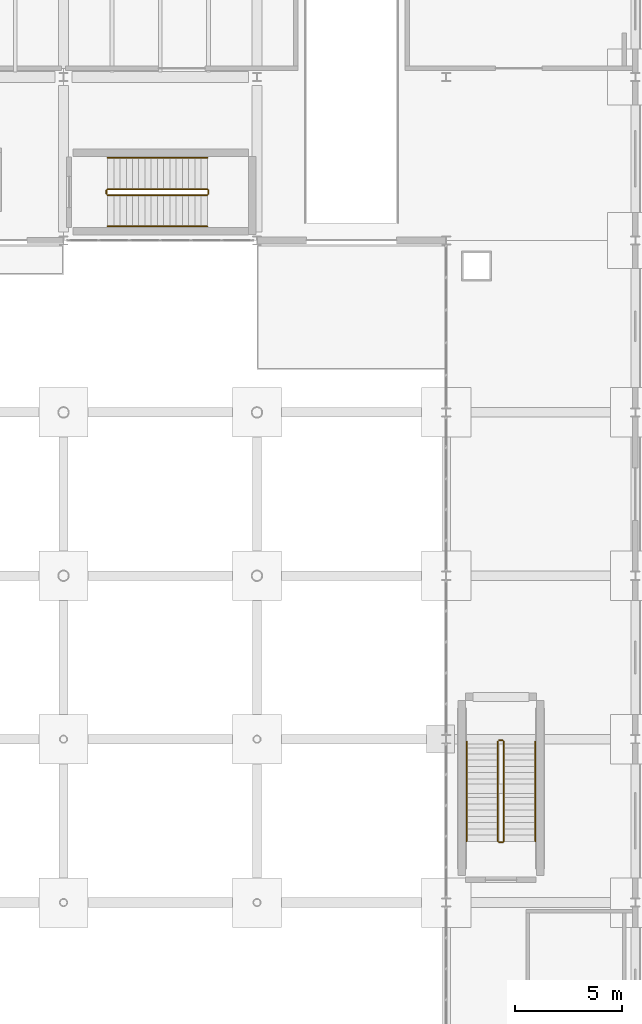
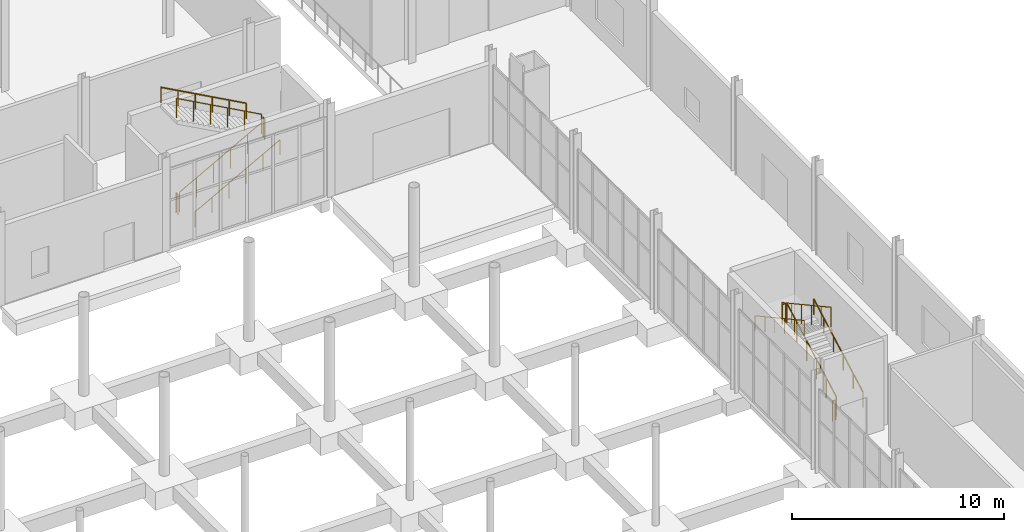
# One storey, part 93 of 95: 12 railings.
"""IFC4 building model written with IfcOpenShell, lengths in metres."""

import ifcopenshell
import ifcopenshell.guid

model = None  # the IFC model being written
_history = None  # IfcOwnerHistory: only IFC2X3 demands one
_inside = {}  # id of a spatial element -> (the spatial element, [elements in it])
_under = {}  # id of a project, library or spatial element -> (it, [spatial elements below it])
_declared = {}  # id of a project -> (the project, [libraries it declares])
_typed = {}  # id of a type object -> (the type object, [elements of that type])
_made_of = {}  # id of a material, layer set ... -> (it, [elements and type objects made of it])


def new_model(schema):
    """Start an empty IFC model of exactly this schema.

    Asked for "IFC4X3", IfcOpenShell would pick the latest addendum, in which some entities
    have other attributes; the version numbers below select the first issue.
    IFC2X3 requires an IfcOwnerHistory on every rooted entity: one is made here for all.
    """
    global model, _history
    if schema == "IFC4X3":
        model = ifcopenshell.file(schema_version=(4, 3, 0, 0))
    else:
        model = ifcopenshell.file(schema=schema)
    _inside.clear()
    _under.clear()
    _declared.clear()
    _typed.clear()
    _made_of.clear()
    _history = None
    if model.schema == "IFC2X3":
        org = make("IfcOrganization", Name="unknown")
        user = make(
            "IfcPersonAndOrganization",
            ThePerson=make("IfcPerson", FamilyName="unknown"),
            TheOrganization=org,
        )
        app = make(
            "IfcApplication",
            ApplicationDeveloper=org,
            Version="unknown",
            ApplicationFullName="unknown",
            ApplicationIdentifier="unknown",
        )
        _history = make(
            "IfcOwnerHistory",
            OwningUser=user,
            OwningApplication=app,
            ChangeAction="ADDED",
            CreationDate=0,
        )
    return model


def make(cls, **values):
    """One entity of the class cls with the attributes given. An attribute that is None is left unset."""
    return model.create_entity(
        cls, **{name: value for name, value in values.items() if value is not None}
    )


def rooted(cls, **values):
    """An entity with a GlobalId (a new one), such as an element, a storey or a relation."""
    return make(cls, GlobalId=ifcopenshell.guid.new(), OwnerHistory=_history, **values)


def si_unit(unit_type, name, prefix=None):
    """IfcSIUnit, for example si_unit("LENGTHUNIT", "METRE", prefix="MILLI")."""
    return make("IfcSIUnit", UnitType=unit_type, Prefix=prefix, Name=name)


def assignment(units):
    """IfcUnitAssignment: the units of a project."""
    return None if units is None else make("IfcUnitAssignment", Units=units)


def point(xyz):
    """IfcCartesianPoint."""
    return None if xyz is None else make("IfcCartesianPoint", Coordinates=xyz)


def direction(xyz):
    """IfcDirection."""
    return None if xyz is None else make("IfcDirection", DirectionRatios=xyz)


def frame(location, z_axis=None, x_axis=None):
    """IfcAxis2Placement3D, a coordinate frame: its origin and axes. An axis left out is left unset."""
    return make(
        "IfcAxis2Placement3D",
        Location=point(location),
        Axis=direction(z_axis),
        RefDirection=direction(x_axis),
    )


def frame_2d(location, x_axis=None):
    """IfcAxis2Placement2D, a coordinate frame in the plane: its origin and x axis."""
    return make(
        "IfcAxis2Placement2D", Location=point(location), RefDirection=direction(x_axis)
    )


def origin():
    """The frame at (0, 0, 0) with its axes left unset."""
    return frame((0.0, 0.0, 0.0))


def origin_2d():
    """The frame at (0, 0) in the plane with its x axis left unset."""
    return frame_2d((0.0, 0.0))


def place(relative_to, where):
    """IfcLocalPlacement: puts the frame where relative to a parent placement (None: the world)."""
    return make(
        "IfcLocalPlacement", PlacementRelTo=relative_to, RelativePlacement=where
    )


def context(
    kind, dimensions, precision=None, world=None, true_north=None, identifier=None
):
    """IfcGeometricRepresentationContext, for example the 3D "Model" context."""
    return make(
        "IfcGeometricRepresentationContext",
        ContextIdentifier=identifier,
        ContextType=kind,
        CoordinateSpaceDimension=dimensions,
        Precision=precision,
        WorldCoordinateSystem=world,
        TrueNorth=true_north,
    )


def subcontext(parent, identifier, kind, view, scale=None):
    """IfcGeometricRepresentationSubContext, for example "Body" below "Model"."""
    return make(
        "IfcGeometricRepresentationSubContext",
        ContextIdentifier=identifier,
        ContextType=kind,
        ParentContext=parent,
        TargetScale=scale,
        TargetView=view,
    )


def project(units=None, contexts=None):
    """IfcProject with its units and contexts."""
    return rooted(
        "IfcProject",
        Name="project",
        RepresentationContexts=contexts,
        UnitsInContext=assignment(units),
    )


def spatial(cls, under=None, at=None, **own):
    """A site, building, storey or space (cls), placed at a placement, below another one or the project."""
    s = rooted(cls, ObjectPlacement=at, **own)
    if under is not None:
        _under.setdefault(under.id(), (under, []))[1].append(s)
    return s


def profile(cls, at=None, kind="AREA", **sizes):
    """A parametric profile (cls). Its sizes go by their IFC names, for example OverallWidth=200.0."""
    return make(cls, ProfileType=kind, Position=at, **sizes)


def circle(**sizes):
    """IfcCircleProfileDef."""
    return profile("IfcCircleProfileDef", **sizes)


def extrude(swept, where, along, depth):
    """IfcExtrudedAreaSolid: the profile swept, set in the frame where, extruded along a direction by depth."""
    return make(
        "IfcExtrudedAreaSolid",
        SweptArea=swept,
        Position=where,
        ExtrudedDirection=direction(along),
        Depth=depth,
    )


def shape(context_of_items, identifier, shape_type, items):
    """IfcShapeRepresentation: the items that make up one representation, for example the "Body"."""
    return make(
        "IfcShapeRepresentation",
        ContextOfItems=context_of_items,
        RepresentationIdentifier=identifier,
        RepresentationType=shape_type,
        Items=items,
    )


def material(Name=None, Category=None):
    """IfcMaterial."""
    return make("IfcMaterial", Name=Name, Category=Category)


def made_of(thing, what):
    """Note that an element or type object is made of a material, layer set ...; save() writes the relation."""
    if what is not None:
        _made_of.setdefault(what.id(), (what, []))[1].append(thing)
    return thing


def type_object(cls, material=None, **own):
    """A type object (cls), such as IfcWallType, which elements share."""
    return made_of(rooted(cls, **own), material)


def element(
    cls,
    number,
    at=None,
    inside=None,
    cuts=None,
    type_object=None,
    material=None,
    context=None,
    identifier="Body",
    shape_type=None,
    held_by="IfcProductDefinitionShape",
    body=None,
    shapes=None,
    **own,
):
    """One element of the class cls, such as IfcWall. Its Tag is "e" and its number.

    at: its placement. inside: the storey or other place that contains it. cuts: it is an
    opening in that element (IfcRelVoidsElement). A single representation is given by context,
    identifier, shape_type and body (its items); several are given by shapes. held_by: the class
    of the entity that holds the representations. save() writes the other relations.
    """
    e = rooted(cls, Tag="e%d" % number, ObjectPlacement=at, **own)
    if body is not None:
        shapes = [shape(context, identifier, shape_type, body)]
    if shapes is not None:
        e.Representation = make(held_by, Representations=shapes)
    if inside is not None:
        _inside.setdefault(inside.id(), (inside, []))[1].append(e)
    if cuts is not None:
        rooted(
            "IfcRelVoidsElement", RelatingBuildingElement=cuts, RelatedOpeningElement=e
        )
    if type_object is not None:
        _typed.setdefault(type_object.id(), (type_object, []))[1].append(e)
    return made_of(e, material)


def aggregate(whole, parts):
    """IfcRelAggregates: a whole, such as a stair, and the parts it consists of."""
    return rooted("IfcRelAggregates", RelatingObject=whole, RelatedObjects=parts)


def save(model, path):
    """Write the relations noted so far, then the file.

    IfcRelAggregates (storeys below a building ...), IfcRelContainedInSpatialStructure (elements
    in a storey), IfcRelDefinesByType, IfcRelAssociatesMaterial and IfcRelDeclares: one each for
    every whole, place, type object, material and project.
    """
    for whole, parts in _under.values():
        aggregate(whole, parts)
    for where, things in _inside.values():
        rooted(
            "IfcRelContainedInSpatialStructure",
            RelatedElements=things,
            RelatingStructure=where,
        )
    for kind, things in _typed.values():
        rooted("IfcRelDefinesByType", RelatedObjects=things, RelatingType=kind)
    for what, things in _made_of.values():
        rooted("IfcRelAssociatesMaterial", RelatedObjects=things, RelatingMaterial=what)
    for by, libraries in _declared.values():
        rooted("IfcRelDeclares", RelatingContext=by, RelatedDefinitions=libraries)
    model.write(path)


model = new_model("IFC4")

# Units and contexts
model_context = context("Model", 3, precision=1e-05, world=origin(), true_north=direction((0.0, 1.0)))
body_context = subcontext(model_context, "Body", "Model", "MODEL_VIEW")
ifc_project = project(units=[si_unit("LENGTHUNIT", "METRE"), si_unit("AREAUNIT", "SQUARE_METRE"), si_unit("VOLUMEUNIT", "CUBIC_METRE"), si_unit("PLANEANGLEUNIT", "RADIAN"), si_unit("MASSUNIT", "GRAM", prefix="KILO")], contexts=[model_context])

# Site, building, storey
site_placement = place(None, origin())
site = spatial("IfcSite", under=ifc_project, at=site_placement, CompositionType="ELEMENT")
building_placement = place(site_placement, origin())
building = spatial("IfcBuilding", under=site, at=building_placement, Name="Shengluoqiao Park Theatre", CompositionType="ELEMENT")
storey_placement = place(building_placement, origin())
storey = spatial("IfcBuildingStorey", under=building, at=storey_placement, Name="L00", CompositionType="ELEMENT", Elevation=0.0)

# Railings
ifc_material_1 = material(Name="Painted steel", Category="steel")
railing_type_1 = type_object("IfcRailingType", Name="INT-RL-STGRD", PredefinedType="GUARDRAIL", material=ifc_material_1)
railing_1_placement = place(storey_placement, frame((141.449951171875, 86.110107421875, 0.158935546875)))
element("IfcRailing", 1, at=railing_1_placement, inside=storey, type_object=railing_type_1, Name="L00 ST-10 stair guard 1", PredefinedType="GUARDRAIL", context=body_context, shape_type="SweptSolid", body=[
    extrude(circle(Radius=0.02392578125, at=origin_2d()), frame((0.0, 0.0, 1.1259765625), z_axis=(0.877097193626, 0.0, 0.480312932298), x_axis=(0.0, 1.0, 0.0)), (0.0, 0.0, 1.0), 5.290283203125),
    extrude(circle(Radius=0.02099609375, at=origin_2d()), origin(), (0.0, 0.0, 1.0), 1.101806640625),
    extrude(circle(Radius=0.02099609375, at=origin_2d()), frame((0.927978515625, 0.0, 0.50830078125)), (0.0, 0.0, 1.0), 1.101806640625),
    extrude(circle(Radius=0.02099609375, at=origin_2d()), frame((1.85595703125, 0.0, 1.016357421875)), (0.0, 0.0, 1.0), 1.101806640625),
    extrude(circle(Radius=0.02099609375, at=origin_2d()), frame((2.7841796875, 0.0, 1.524658203125)), (0.0, 0.0, 1.0), 1.101806640625),
    extrude(circle(Radius=0.02099609375, at=origin_2d()), frame((3.712158203125, 0.0, 2.03271484375)), (0.0, 0.0, 1.0), 1.101806640625),
    extrude(circle(Radius=0.02099609375, at=origin_2d()), frame((4.64013671875, 0.0, 2.541015625)), (0.0, 0.0, 1.0), 1.101806640625),
])
railing_2_placement = place(storey_placement, frame((146.139892578125, 86.159912109375, 2.699951171875)))
element("IfcRailing", 2, at=railing_2_placement, inside=storey, type_object=railing_type_1, Name="L00 ST-10 stair guard 2", PredefinedType="GUARDRAIL", context=body_context, shape_type="SweptSolid", body=[
    extrude(circle(Radius=0.02392578125, at=origin_2d()), frame((0.0, 0.0, 1.1259765625), z_axis=(0.0, 1.0, 0.0), x_axis=(-1.0, 0.0, 0.0)), (0.0, 0.0, 1.0), 0.18017578125),
    extrude(circle(Radius=0.02099609375, at=origin_2d()), origin(), (0.0, 0.0, 1.0), 1.101806640625),
    extrude(circle(Radius=0.02099609375, at=origin_2d()), frame((0.0, 0.18017578125, 0.0)), (0.0, 0.0, 1.0), 1.101806640625),
])
railing_3_placement = place(storey_placement, frame((146.090087890625, 86.389892578125, 2.85888671875)))
element("IfcRailing", 3, at=railing_3_placement, inside=storey, type_object=railing_type_1, Name="L00 ST-10 stair guard 3", PredefinedType="GUARDRAIL", context=body_context, shape_type="SweptSolid", body=[
    extrude(circle(Radius=0.02392578125, at=origin_2d()), frame((0.0, 0.0, 1.1259765625), z_axis=(-0.877097193626, 0.0, 0.480312932298), x_axis=(0.0, -1.0, 0.0)), (0.0, 0.0, 1.0), 5.290283203125),
    extrude(circle(Radius=0.02099609375, at=origin_2d()), origin(), (0.0, 0.0, 1.0), 1.101806640625),
    extrude(circle(Radius=0.02099609375, at=origin_2d()), frame((-0.927978515625, 0.0, 0.50830078125)), (0.0, 0.0, 1.0), 1.101806640625),
    extrude(circle(Radius=0.02099609375, at=origin_2d()), frame((-1.85595703125, 0.0, 1.016357421875)), (0.0, 0.0, 1.0), 1.101806640625),
    extrude(circle(Radius=0.02099609375, at=origin_2d()), frame((-2.7841796875, 0.0, 1.524658203125)), (0.0, 0.0, 1.0), 1.101806640625),
    extrude(circle(Radius=0.02099609375, at=origin_2d()), frame((-3.712158203125, 0.0, 2.03271484375)), (0.0, 0.0, 1.0), 1.101806640625),
    extrude(circle(Radius=0.02099609375, at=origin_2d()), frame((-4.64013671875, 0.0, 2.541015625)), (0.0, 0.0, 1.0), 1.101806640625),
])
railing_4_placement = place(storey_placement, frame((141.39990234375, 86.159912109375, 0.0)))
element("IfcRailing", 4, at=railing_4_placement, inside=storey, type_object=railing_type_1, Name="L00 ST-10 stair guard 4", PredefinedType="GUARDRAIL", context=body_context, shape_type="SweptSolid", body=[
    extrude(circle(Radius=0.02392578125, at=origin_2d()), frame((0.0, 0.0, 1.1259765625), z_axis=(0.0, 1.0, 0.0), x_axis=(-1.0, 0.0, 0.0)), (0.0, 0.0, 1.0), 0.18017578125),
    extrude(circle(Radius=0.02099609375, at=origin_2d()), origin(), (0.0, 0.0, 1.0), 1.101806640625),
    extrude(circle(Radius=0.02099609375, at=origin_2d()), frame((0.0, 0.18017578125, 0.0)), (0.0, 0.0, 1.0), 1.101806640625),
])
railing_5_placement = place(storey_placement, frame((159.889892578125, 56.050048828125, 0.158935546875)))
element("IfcRailing", 5, at=railing_5_placement, inside=storey, type_object=railing_type_1, Name="L00 ST-12 stair guard 1", PredefinedType="GUARDRAIL", context=body_context, shape_type="SweptSolid", body=[
    extrude(circle(Radius=0.02392578125, at=origin_2d()), frame((0.0, 0.0, 1.1259765625), z_axis=(0.0, 0.877086546512, 0.480332374433), x_axis=(-1.0, 0.0, 0.0)), (0.0, 0.0, 1.0), 5.2900390625),
    extrude(circle(Radius=0.02099609375, at=origin_2d()), origin(), (0.0, 0.0, 1.0), 1.101806640625),
    extrude(circle(Radius=0.02099609375, at=origin_2d()), frame((0.0, 0.927978515625, 0.50830078125)), (0.0, 0.0, 1.0), 1.101806640625),
    extrude(circle(Radius=0.02099609375, at=origin_2d()), frame((0.0, 1.85595703125, 1.016357421875)), (0.0, 0.0, 1.0), 1.101806640625),
    extrude(circle(Radius=0.02099609375, at=origin_2d()), frame((0.0, 2.783935546875, 1.524658203125)), (0.0, 0.0, 1.0), 1.101806640625),
    extrude(circle(Radius=0.02099609375, at=origin_2d()), frame((0.0, 3.7119140625, 2.03271484375)), (0.0, 0.0, 1.0), 1.101806640625),
    extrude(circle(Radius=0.02099609375, at=origin_2d()), frame((0.0, 4.639892578125, 2.541015625)), (0.0, 0.0, 1.0), 1.101806640625),
])
railing_6_placement = place(storey_placement, frame((159.840087890625, 60.739990234375, 2.699951171875)))
element("IfcRailing", 6, at=railing_6_placement, inside=storey, type_object=railing_type_1, Name="L00 ST-12 stair guard 2", PredefinedType="GUARDRAIL", context=body_context, shape_type="SweptSolid", body=[
    extrude(circle(Radius=0.02392578125, at=origin_2d()), frame((0.0, 0.0, 1.1259765625), z_axis=(-1.0, 0.0, 0.0), x_axis=(0.0, -1.0, 0.0)), (0.0, 0.0, 1.0), 0.18017578125),
    extrude(circle(Radius=0.02099609375, at=origin_2d()), origin(), (0.0, 0.0, 1.0), 1.101806640625),
    extrude(circle(Radius=0.02099609375, at=origin_2d()), frame((-0.18017578125, 0.0, 0.0)), (0.0, 0.0, 1.0), 1.101806640625),
])
railing_7_placement = place(storey_placement, frame((159.610107421875, 60.68994140625, 2.85888671875)))
element("IfcRailing", 7, at=railing_7_placement, inside=storey, type_object=railing_type_1, Name="L00 ST-12 stair guard 3", PredefinedType="GUARDRAIL", context=body_context, shape_type="SweptSolid", body=[
    extrude(circle(Radius=0.02392578125, at=origin_2d()), frame((0.0, 0.0, 1.1259765625), z_axis=(0.0, -0.877086546512, 0.480332374433), x_axis=(1.0, 0.0, 0.0)), (0.0, 0.0, 1.0), 5.2900390625),
    extrude(circle(Radius=0.02099609375, at=origin_2d()), origin(), (0.0, 0.0, 1.0), 1.101806640625),
    extrude(circle(Radius=0.02099609375, at=origin_2d()), frame((0.0, -0.927978515625, 0.50830078125)), (0.0, 0.0, 1.0), 1.101806640625),
    extrude(circle(Radius=0.02099609375, at=origin_2d()), frame((0.0, -1.85595703125, 1.016357421875)), (0.0, 0.0, 1.0), 1.101806640625),
    extrude(circle(Radius=0.02099609375, at=origin_2d()), frame((0.0, -2.783935546875, 1.524658203125)), (0.0, 0.0, 1.0), 1.101806640625),
    extrude(circle(Radius=0.02099609375, at=origin_2d()), frame((0.0, -3.7119140625, 2.03271484375)), (0.0, 0.0, 1.0), 1.101806640625),
    extrude(circle(Radius=0.02099609375, at=origin_2d()), frame((0.0, -4.639892578125, 2.541015625)), (0.0, 0.0, 1.0), 1.101806640625),
])
railing_8_placement = place(storey_placement, frame((159.840087890625, 56.0, 0.0)))
element("IfcRailing", 8, at=railing_8_placement, inside=storey, type_object=railing_type_1, Name="L00 ST-12 stair guard 4", PredefinedType="GUARDRAIL", context=body_context, shape_type="SweptSolid", body=[
    extrude(circle(Radius=0.02392578125, at=origin_2d()), frame((0.0, 0.0, 1.1259765625), z_axis=(-1.0, 0.0, 0.0), x_axis=(0.0, -1.0, 0.0)), (0.0, 0.0, 1.0), 0.18017578125),
    extrude(circle(Radius=0.02099609375, at=origin_2d()), origin(), (0.0, 0.0, 1.0), 1.101806640625),
    extrude(circle(Radius=0.02099609375, at=origin_2d()), frame((-0.18017578125, 0.0, 0.0)), (0.0, 0.0, 1.0), 1.101806640625),
])
ifc_material_2 = material(Name="Stainless steel 304", Category="steel")
railing_type_2 = type_object("IfcRailingType", Name="INT-RL-STHR", PredefinedType="HANDRAIL", material=ifc_material_2)
railing_9_placement = place(storey_placement, frame((141.449951171875, 84.64990234375, 0.158935546875)))
element("IfcRailing", 9, at=railing_9_placement, inside=storey, type_object=railing_type_2, Name="L00 ST-10 stair handrail 1", PredefinedType="HANDRAIL", context=body_context, shape_type="SweptSolid", body=[
    extrude(circle(Radius=0.02392578125, at=origin_2d()), frame((0.0, 0.0, 0.8759765625), z_axis=(0.877097193626, 0.0, 0.480312932298), x_axis=(0.0, 1.0, 0.0)), (0.0, 0.0, 1.0), 5.290283203125),
    extrude(circle(Radius=0.02099609375, at=origin_2d()), origin(), (0.0, 0.0, 1.0), 0.851806640625),
    extrude(circle(Radius=0.02099609375, at=origin_2d()), frame((0.927978515625, 0.0, 0.50830078125)), (0.0, 0.0, 1.0), 0.851806640625),
    extrude(circle(Radius=0.02099609375, at=origin_2d()), frame((1.85595703125, 0.0, 1.016357421875)), (0.0, 0.0, 1.0), 0.851806640625),
    extrude(circle(Radius=0.02099609375, at=origin_2d()), frame((2.7841796875, 0.0, 1.524658203125)), (0.0, 0.0, 1.0), 0.851806640625),
    extrude(circle(Radius=0.02099609375, at=origin_2d()), frame((3.712158203125, 0.0, 2.03271484375)), (0.0, 0.0, 1.0), 0.851806640625),
    extrude(circle(Radius=0.02099609375, at=origin_2d()), frame((4.64013671875, 0.0, 2.541015625)), (0.0, 0.0, 1.0), 0.851806640625),
])
railing_10_placement = place(storey_placement, frame((146.090087890625, 87.85009765625, 2.85888671875)))
element("IfcRailing", 10, at=railing_10_placement, inside=storey, type_object=railing_type_2, Name="L00 ST-10 stair handrail 2", PredefinedType="HANDRAIL", context=body_context, shape_type="SweptSolid", body=[
    extrude(circle(Radius=0.02392578125, at=origin_2d()), frame((0.0, 0.0, 0.8759765625), z_axis=(-0.877097193626, 0.0, 0.480312932298), x_axis=(0.0, -1.0, 0.0)), (0.0, 0.0, 1.0), 5.290283203125),
    extrude(circle(Radius=0.02099609375, at=origin_2d()), origin(), (0.0, 0.0, 1.0), 0.851806640625),
    extrude(circle(Radius=0.02099609375, at=origin_2d()), frame((-0.927978515625, 0.0, 0.50830078125)), (0.0, 0.0, 1.0), 0.851806640625),
    extrude(circle(Radius=0.02099609375, at=origin_2d()), frame((-1.85595703125, 0.0, 1.016357421875)), (0.0, 0.0, 1.0), 0.851806640625),
    extrude(circle(Radius=0.02099609375, at=origin_2d()), frame((-2.7841796875, 0.0, 1.524658203125)), (0.0, 0.0, 1.0), 0.851806640625),
    extrude(circle(Radius=0.02099609375, at=origin_2d()), frame((-3.712158203125, 0.0, 2.03271484375)), (0.0, 0.0, 1.0), 0.851806640625),
    extrude(circle(Radius=0.02099609375, at=origin_2d()), frame((-4.64013671875, 0.0, 2.541015625)), (0.0, 0.0, 1.0), 0.851806640625),
])
railing_11_placement = place(storey_placement, frame((161.35009765625, 56.050048828125, 0.158935546875)))
element("IfcRailing", 11, at=railing_11_placement, inside=storey, type_object=railing_type_2, Name="L00 ST-12 stair handrail 1", PredefinedType="HANDRAIL", context=body_context, shape_type="SweptSolid", body=[
    extrude(circle(Radius=0.02392578125, at=origin_2d()), frame((0.0, 0.0, 0.8759765625), z_axis=(0.0, 0.877086546512, 0.480332374433), x_axis=(-1.0, 0.0, 0.0)), (0.0, 0.0, 1.0), 5.2900390625),
    extrude(circle(Radius=0.02099609375, at=origin_2d()), origin(), (0.0, 0.0, 1.0), 0.851806640625),
    extrude(circle(Radius=0.02099609375, at=origin_2d()), frame((0.0, 0.927978515625, 0.50830078125)), (0.0, 0.0, 1.0), 0.851806640625),
    extrude(circle(Radius=0.02099609375, at=origin_2d()), frame((0.0, 1.85595703125, 1.016357421875)), (0.0, 0.0, 1.0), 0.851806640625),
    extrude(circle(Radius=0.02099609375, at=origin_2d()), frame((0.0, 2.783935546875, 1.524658203125)), (0.0, 0.0, 1.0), 0.851806640625),
    extrude(circle(Radius=0.02099609375, at=origin_2d()), frame((0.0, 3.7119140625, 2.03271484375)), (0.0, 0.0, 1.0), 0.851806640625),
    extrude(circle(Radius=0.02099609375, at=origin_2d()), frame((0.0, 4.639892578125, 2.541015625)), (0.0, 0.0, 1.0), 0.851806640625),
])
railing_12_placement = place(storey_placement, frame((158.14990234375, 60.68994140625, 2.85888671875)))
element("IfcRailing", 12, at=railing_12_placement, inside=storey, type_object=railing_type_2, Name="L00 ST-12 stair handrail 2", PredefinedType="HANDRAIL", context=body_context, shape_type="SweptSolid", body=[
    extrude(circle(Radius=0.02392578125, at=origin_2d()), frame((0.0, 0.0, 0.8759765625), z_axis=(0.0, -0.877086546512, 0.480332374433), x_axis=(1.0, 0.0, 0.0)), (0.0, 0.0, 1.0), 5.2900390625),
    extrude(circle(Radius=0.02099609375, at=origin_2d()), origin(), (0.0, 0.0, 1.0), 0.851806640625),
    extrude(circle(Radius=0.02099609375, at=origin_2d()), frame((0.0, -0.927978515625, 0.50830078125)), (0.0, 0.0, 1.0), 0.851806640625),
    extrude(circle(Radius=0.02099609375, at=origin_2d()), frame((0.0, -1.85595703125, 1.016357421875)), (0.0, 0.0, 1.0), 0.851806640625),
    extrude(circle(Radius=0.02099609375, at=origin_2d()), frame((0.0, -2.783935546875, 1.524658203125)), (0.0, 0.0, 1.0), 0.851806640625),
    extrude(circle(Radius=0.02099609375, at=origin_2d()), frame((0.0, -3.7119140625, 2.03271484375)), (0.0, 0.0, 1.0), 0.851806640625),
    extrude(circle(Radius=0.02099609375, at=origin_2d()), frame((0.0, -4.639892578125, 2.541015625)), (0.0, 0.0, 1.0), 0.851806640625),
])

save(model, "model.ifc")
